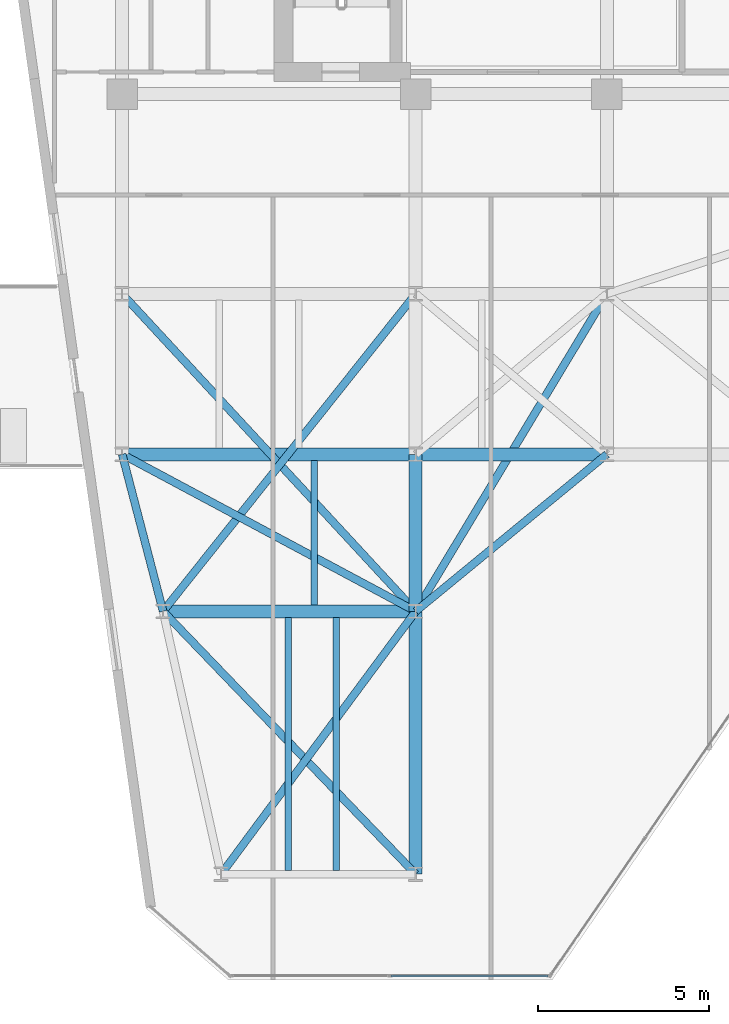
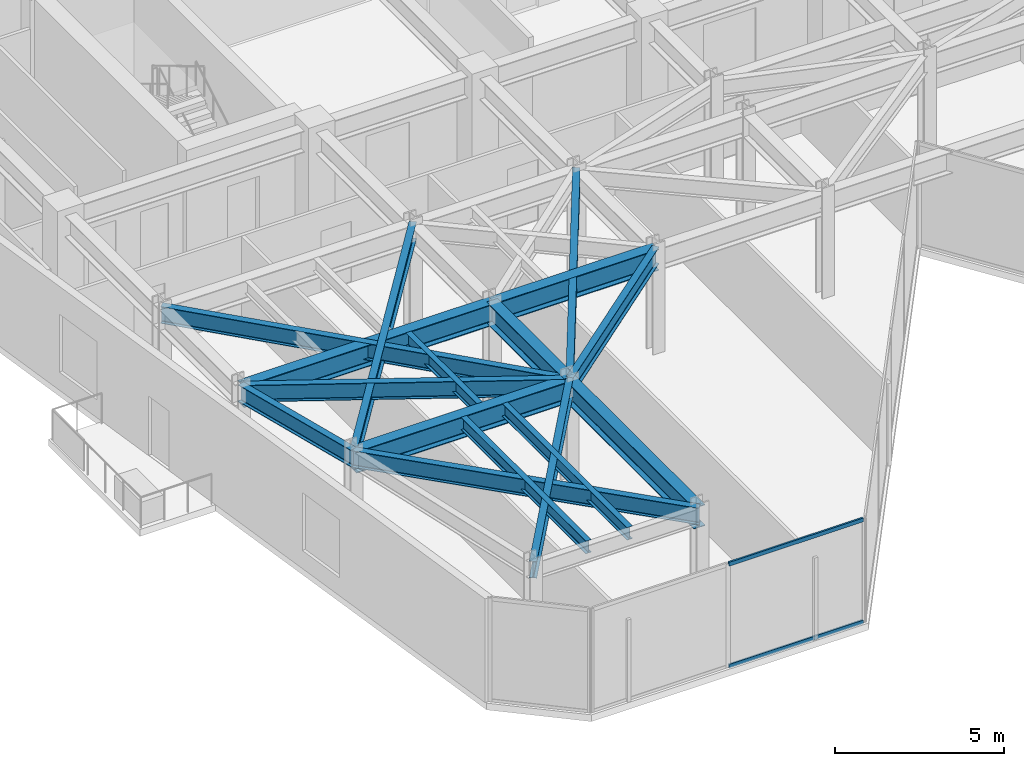
# One storey, part 3 of 21: 16 beams, 2 members, 1 element without a shape of its own.
"""IFC4 building model written with IfcOpenShell, lengths in metres."""

from ifc_helpers import new_model, si_unit, direction, frame, origin, origin_2d, place, context, subcontext, project, spatial, hollow_rectangle, i_section, extrude, material, layer, layer_set, material_profile, profile_set, type_object, element, aggregate, save


model = new_model("IFC4")

# Units and contexts
model_context = context("Model", 3, precision=1e-05, world=origin(), true_north=direction((0.0, 1.0)))
body_context = subcontext(model_context, "Body", "Model", "MODEL_VIEW")
ifc_project = project(units=[si_unit("LENGTHUNIT", "METRE"), si_unit("AREAUNIT", "SQUARE_METRE"), si_unit("VOLUMEUNIT", "CUBIC_METRE"), si_unit("PLANEANGLEUNIT", "RADIAN"), si_unit("MASSUNIT", "GRAM", prefix="KILO")], contexts=[model_context])

# Site, building, storey
site_placement = place(None, origin())
site = spatial("IfcSite", under=ifc_project, at=site_placement, CompositionType="ELEMENT")
building_placement = place(site_placement, origin())
building = spatial("IfcBuilding", under=site, at=building_placement, Name="Kravanh Interchange Tower", CompositionType="ELEMENT")
storey_placement = place(building_placement, frame((0.0, 0.0, 184.5)))
storey = spatial("IfcBuildingStorey", under=building, at=storey_placement, Name="L44", CompositionType="ELEMENT", Elevation=184.5)

# Curtain wall, members
ifc_material_1 = material(Name="Anodised Bronze Aluminium", Category="aluminium")
ifc_layer = layer(ifc_material_1, 0.179931640625)
ifc_layer_set = layer_set([ifc_layer], Name="Unitised Curtain Wall System CW-Z3 Upper Office")
curtain_wall_type = type_object("IfcCurtainWallType", Name="Unitised Curtain Wall System CW-Z3 Upper Office", PredefinedType="NOTDEFINED", material=ifc_layer_set)
curtain_wall_placement = place(storey_placement, origin())
curtain_wall = element("IfcCurtainWall", 1, at=curtain_wall_placement, inside=storey, type_object=curtain_wall_type, Name="L44 Unitised Curtain Wall CW-L44-05", PredefinedType="NOTDEFINED")
ifc_material_2 = material(Name="Anodised Bronze Aluminium", Category="aluminium")
ifc_material_profile_1 = material_profile(ifc_material_2, hollow_rectangle(XDim=0.06005859375, YDim=0.139892578125, WallThickness=0.00390625, at=origin_2d()), Name="ALU60X140X4")
ifc_profile_set_1 = profile_set([ifc_material_profile_1], Name="Anodised Bronze Aluminium")
member_type = type_object("IfcMemberType", Name="Curtain Wall Transom ALU60X140X4 Bronze", PredefinedType="USERDEFINED", material=ifc_profile_set_1)
member_1_placement = place(storey_placement, frame((31.076904296875, 11.52001953125, 0.030029296875), z_axis=(-1.0, 0.0, 0.0), x_axis=(0.0, -1.0, 0.0)))
member_1 = element("IfcMember", 2, at=member_1_placement, type_object=member_type, Name="CW-Z3 transom 1.1", ObjectType="TRANSOM", PredefinedType="USERDEFINED", context=body_context, shape_type="SweptSolid", body=[
    extrude(hollow_rectangle(XDim=0.06005859375, YDim=0.139892578125, WallThickness=0.00390625, at=origin_2d()), origin(), (0.0, 0.0, 1.0), 4.598876953125),
])
member_2_placement = place(storey_placement, frame((31.076904296875, 11.52001953125, 3.72509765625), z_axis=(-1.0, 0.0, 0.0), x_axis=(0.0, -1.0, 0.0)))
member_2 = element("IfcMember", 3, at=member_2_placement, type_object=member_type, Name="CW-Z3 transom 1.2", ObjectType="TRANSOM", PredefinedType="USERDEFINED", context=body_context, shape_type="SweptSolid", body=[
    extrude(hollow_rectangle(XDim=0.06005859375, YDim=0.139892578125, WallThickness=0.00390625, at=origin_2d()), origin(), (0.0, 0.0, 1.0), 4.598876953125),
])
aggregate(curtain_wall, [member_1, member_2])

# Beams
ifc_material_3 = material(Name="Structural Steel S355", Category="steel")
ifc_material_profile_2 = material_profile(ifc_material_3, i_section(OverallWidth=0.381103515625, OverallDepth=0.77294921875, WebThickness=0.0166015625, FlangeThickness=0.027099609375, FilletRadius=0.02490234375, at=origin_2d()), Name="W30X173")
ifc_profile_set_2 = profile_set([ifc_material_profile_2], Name="Structural Steel S355")
beam_type_1 = type_object("IfcBeamType", Name="Floor Beam W30X173 Structural Steel S355", PredefinedType="BEAM", material=ifc_profile_set_2)
beam_1_placement = place(storey_placement, frame((18.60009765625, 26.800048828125, 3.368408203125), z_axis=(1.0, 0.0, 0.0), x_axis=(0.0, 1.0, 0.0)))
element("IfcBeam", 4, at=beam_1_placement, inside=storey, type_object=beam_type_1, Name="L44 Primary Floor Girder 35", PredefinedType="BEAM", context=body_context, shape_type="SweptSolid", body=[
    extrude(i_section(OverallWidth=0.381103515625, OverallDepth=0.77294921875, WebThickness=0.0166015625, FlangeThickness=0.027099609375, FilletRadius=0.02490234375, at=origin_2d()), origin(), (0.0, 0.0, 1.0), 8.599853515625),
])
beam_2_placement = place(storey_placement, frame((27.199951171875, 26.800048828125, 3.368408203125), z_axis=(0.0, -1.0, 0.0), x_axis=(1.0, 0.0, 0.0)))
element("IfcBeam", 5, at=beam_2_placement, inside=storey, type_object=beam_type_1, Name="L44 Primary Floor Girder 37", PredefinedType="BEAM", context=body_context, shape_type="SweptSolid", body=[
    extrude(i_section(OverallWidth=0.381103515625, OverallDepth=0.77294921875, WebThickness=0.0166015625, FlangeThickness=0.027099609375, FilletRadius=0.02490234375, at=origin_2d()), origin(), (0.0, 0.0, 1.0), 4.60009765625),
])
beam_3_placement = place(storey_placement, frame((27.199951171875, 26.800048828125, 3.368408203125), z_axis=(1.0, 0.0, 0.0), x_axis=(0.0, 1.0, 0.0)))
element("IfcBeam", 6, at=beam_3_placement, inside=storey, type_object=beam_type_1, Name="L44 Primary Floor Girder 39", PredefinedType="BEAM", context=body_context, shape_type="SweptSolid", body=[
    extrude(i_section(OverallWidth=0.381103515625, OverallDepth=0.77294921875, WebThickness=0.0166015625, FlangeThickness=0.027099609375, FilletRadius=0.02490234375, at=origin_2d()), origin(), (0.0, 0.0, 1.0), 5.60009765625),
])
beam_4_placement = place(storey_placement, frame((27.199951171875, 14.5, 3.368408203125), z_axis=(0.0, 1.0, 0.0), x_axis=(-1.0, 0.0, 0.0)))
element("IfcBeam", 7, at=beam_4_placement, inside=storey, type_object=beam_type_1, Name="L44 Primary Floor Girder 70", PredefinedType="BEAM", context=body_context, shape_type="SweptSolid", body=[
    extrude(i_section(OverallWidth=0.381103515625, OverallDepth=0.77294921875, WebThickness=0.0166015625, FlangeThickness=0.027099609375, FilletRadius=0.02490234375, at=origin_2d()), origin(), (0.0, 0.0, 1.0), 7.699951171875),
])
beam_5_placement = place(storey_placement, frame((19.800048828125, 22.199951171875, 3.368408203125), z_axis=(1.0, 0.0, 0.0), x_axis=(0.0, 1.0, 0.0)))
element("IfcBeam", 8, at=beam_5_placement, inside=storey, type_object=beam_type_1, Name="L44 Primary Floor Girder 91", PredefinedType="BEAM", context=body_context, shape_type="SweptSolid", body=[
    extrude(i_section(OverallWidth=0.381103515625, OverallDepth=0.77294921875, WebThickness=0.0166015625, FlangeThickness=0.027099609375, FilletRadius=0.02490234375, at=origin_2d()), origin(), (0.0, 0.0, 1.0), 7.39990234375),
])
ifc_material_4 = material(Name="Structural Steel S355", Category="steel")
ifc_material_profile_3 = material_profile(ifc_material_4, i_section(OverallWidth=0.18994140625, OverallDepth=0.45703125, WebThickness=0.009033203125, FlangeThickness=0.014404296875, FilletRadius=0.01806640625, at=origin_2d()), Name="W18X50")
ifc_profile_set_3 = profile_set([ifc_material_profile_3], Name="Structural Steel S355")
beam_type_2 = type_object("IfcBeamType", Name="Floor Joist W18X50 Structural Steel S355", PredefinedType="JOIST", material=ifc_profile_set_3)
for number, where, z_axis, x_axis, name in (
    (9, (23.469970703125, 14.60888671875, 3.526611328125), (0.0, 1.0, 0.0), (-1.0, 0.0, 0.0), "L44 Secondary Floor Joist 1"),
    (10, (24.8779296875, 14.60888671875, 3.526611328125), (0.0, 1.0, 0.0), (-1.0, 0.0, 0.0), "L44 Secondary Floor Joist 2"),
):
    element("IfcBeam", number, at=place(storey_placement, frame(where, z_axis=z_axis, x_axis=x_axis)), inside=storey, type_object=beam_type_2, Name=name, PredefinedType="JOIST", context=body_context, shape_type="SweptSolid", body=[
        extrude(i_section(OverallWidth=0.18994140625, OverallDepth=0.45703125, WebThickness=0.009033203125, FlangeThickness=0.014404296875, FilletRadius=0.01806640625, at=origin_2d()), origin(), (0.0, 0.0, 1.0), 7.405517578125),
    ])
beam_6_placement = place(storey_placement, frame((24.23193359375, 22.385498046875, 3.526611328125), z_axis=(0.0, 1.0, 0.0), x_axis=(-1.0, 0.0, 0.0)))
element("IfcBeam", 11, at=beam_6_placement, inside=storey, type_object=beam_type_2, Name="L44 Secondary Floor Joist 6", PredefinedType="JOIST", context=body_context, shape_type="SweptSolid", body=[
    extrude(i_section(OverallWidth=0.18994140625, OverallDepth=0.45703125, WebThickness=0.009033203125, FlangeThickness=0.014404296875, FilletRadius=0.01806640625, at=origin_2d()), origin(), (0.0, 0.0, 1.0), 4.22900390625),
])
ifc_material_5 = material(Name="Structural Steel S355", Category="steel")
ifc_material_profile_4 = material_profile(ifc_material_5, i_section(OverallWidth=0.22802734375, OverallDepth=0.60791015625, WebThickness=0.01123046875, FlangeThickness=0.017333984375, FilletRadius=0.02197265625, at=origin_2d()), Name="W24X76")
ifc_profile_set_4 = profile_set([ifc_material_profile_4], Name="Structural Steel S355")
beam_type_3 = type_object("IfcBeamType", Name="Floor Spandrel W24X76 Structural Steel S355", PredefinedType="SPANDREL", material=ifc_profile_set_4)
beam_7_placement = place(storey_placement, frame((21.5, 14.5, 3.450927734375), z_axis=(0.59497703726, 0.803742698339, 0.0), x_axis=(-0.803742698339, 0.59497703726, 0.0)))
element("IfcBeam", 12, at=beam_7_placement, inside=storey, type_object=beam_type_3, Name="L44 Perimeter Spandrel 32", PredefinedType="SPANDREL", context=body_context, shape_type="SweptSolid", body=[
    extrude(i_section(OverallWidth=0.22802734375, OverallDepth=0.60791015625, WebThickness=0.01123046875, FlangeThickness=0.017333984375, FilletRadius=0.02197265625, at=origin_2d()), origin(), (0.0, 0.0, 1.0), 9.580078125),
])
beam_8_placement = place(storey_placement, frame((18.60009765625, 26.800048828125, 3.450927734375), z_axis=(0.252407263364, -0.967621089787, 0.0), x_axis=(0.967621089787, 0.252407263364, 0.0)))
element("IfcBeam", 13, at=beam_8_placement, inside=storey, type_object=beam_type_3, Name="L44 Perimeter Spandrel 34", PredefinedType="SPANDREL", context=body_context, shape_type="SweptSolid", body=[
    extrude(i_section(OverallWidth=0.22802734375, OverallDepth=0.60791015625, WebThickness=0.01123046875, FlangeThickness=0.017333984375, FilletRadius=0.02197265625, at=origin_2d()), origin(), (0.0, 0.0, 1.0), 4.75390625),
])
beam_9_placement = place(storey_placement, frame((18.60009765625, 26.800048828125, 3.450927734375), z_axis=(0.881777136221, -0.471666282489, 0.0), x_axis=(0.471666282489, 0.881777136221, 0.0)))
element("IfcBeam", 14, at=beam_9_placement, inside=storey, type_object=beam_type_3, Name="L44 Perimeter Spandrel 36", PredefinedType="SPANDREL", context=body_context, shape_type="SweptSolid", body=[
    extrude(i_section(OverallWidth=0.22802734375, OverallDepth=0.60791015625, WebThickness=0.01123046875, FlangeThickness=0.017333984375, FilletRadius=0.02197265625, at=origin_2d()), origin(), (0.0, 0.0, 1.0), 9.7529296875),
])
beam_10_placement = place(storey_placement, frame((32.800048828125, 26.800048828125, 3.450927734375), z_axis=(-0.772725074305, -0.634740860147, 0.0), x_axis=(0.634740860147, -0.772725074305, 0.0)))
element("IfcBeam", 15, at=beam_10_placement, inside=storey, type_object=beam_type_3, Name="L44 Perimeter Spandrel 43", PredefinedType="SPANDREL", context=body_context, shape_type="SweptSolid", body=[
    extrude(i_section(OverallWidth=0.22802734375, OverallDepth=0.60791015625, WebThickness=0.01123046875, FlangeThickness=0.017333984375, FilletRadius=0.02197265625, at=origin_2d()), origin(), (0.0, 0.0, 1.0), 7.247314453125),
])
beam_11_placement = place(storey_placement, frame((18.60009765625, 31.5, 3.450927734375), z_axis=(0.678927458783, -0.734205356634, 0.0), x_axis=(0.734205356634, 0.678927458783, 0.0)))
element("IfcBeam", 16, at=beam_11_placement, inside=storey, type_object=beam_type_3, Name="L44 Perimeter Spandrel 63", PredefinedType="SPANDREL", context=body_context, shape_type="SweptSolid", body=[
    extrude(i_section(OverallWidth=0.22802734375, OverallDepth=0.60791015625, WebThickness=0.01123046875, FlangeThickness=0.017333984375, FilletRadius=0.02197265625, at=origin_2d()), origin(), (0.0, 0.0, 1.0), 12.666748046875),
])
beam_12_placement = place(storey_placement, frame((27.199951171875, 31.5, 3.450927734375), z_axis=(-0.622633646541, -0.782513477324, 0.0), x_axis=(0.782513477324, -0.622633646541, 0.0)))
element("IfcBeam", 17, at=beam_12_placement, inside=storey, type_object=beam_type_3, Name="L44 Perimeter Spandrel 66", PredefinedType="SPANDREL", context=body_context, shape_type="SweptSolid", body=[
    extrude(i_section(OverallWidth=0.22802734375, OverallDepth=0.60791015625, WebThickness=0.01123046875, FlangeThickness=0.017333984375, FilletRadius=0.02197265625, at=origin_2d()), origin(), (0.0, 0.0, 1.0), 11.884765625),
])
beam_13_placement = place(storey_placement, frame((32.800048828125, 31.5, 3.450927734375), z_axis=(-0.515854375109, -0.856676288735, 0.0), x_axis=(0.856676288735, -0.515854375109, 0.0)))
element("IfcBeam", 18, at=beam_13_placement, inside=storey, type_object=beam_type_3, Name="L44 Perimeter Spandrel 69", PredefinedType="SPANDREL", context=body_context, shape_type="SweptSolid", body=[
    extrude(i_section(OverallWidth=0.22802734375, OverallDepth=0.60791015625, WebThickness=0.01123046875, FlangeThickness=0.017333984375, FilletRadius=0.02197265625, at=origin_2d()), origin(), (0.0, 0.0, 1.0), 10.85595703125),
])
beam_14_placement = place(storey_placement, frame((27.199951171875, 14.5, 3.450927734375), z_axis=(-0.692919091225, 0.721015348669, 0.0), x_axis=(-0.721015348669, -0.692919091225, 0.0)))
element("IfcBeam", 19, at=beam_14_placement, inside=storey, type_object=beam_type_3, Name="L44 Perimeter Spandrel 71", PredefinedType="SPANDREL", context=body_context, shape_type="SweptSolid", body=[
    extrude(i_section(OverallWidth=0.22802734375, OverallDepth=0.60791015625, WebThickness=0.01123046875, FlangeThickness=0.017333984375, FilletRadius=0.02197265625, at=origin_2d()), origin(), (0.0, 0.0, 1.0), 10.67919921875),
])

save(model, "model.ifc")
